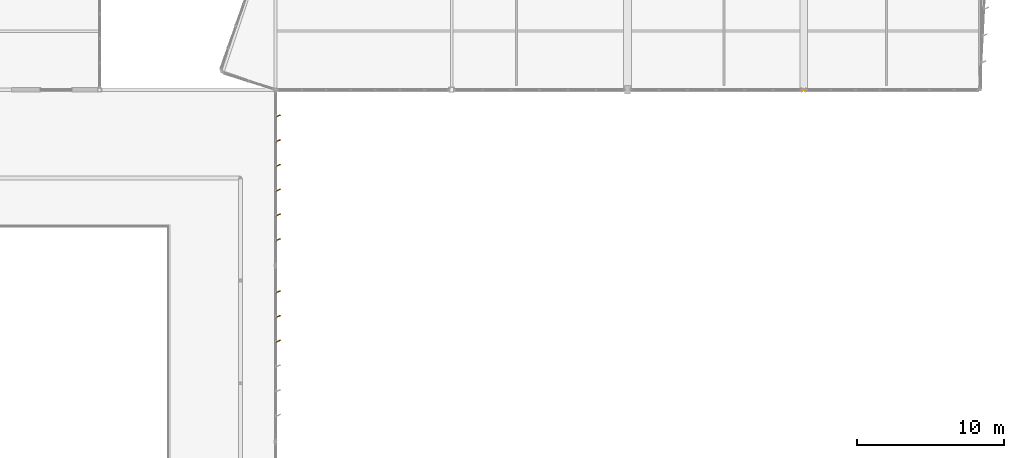
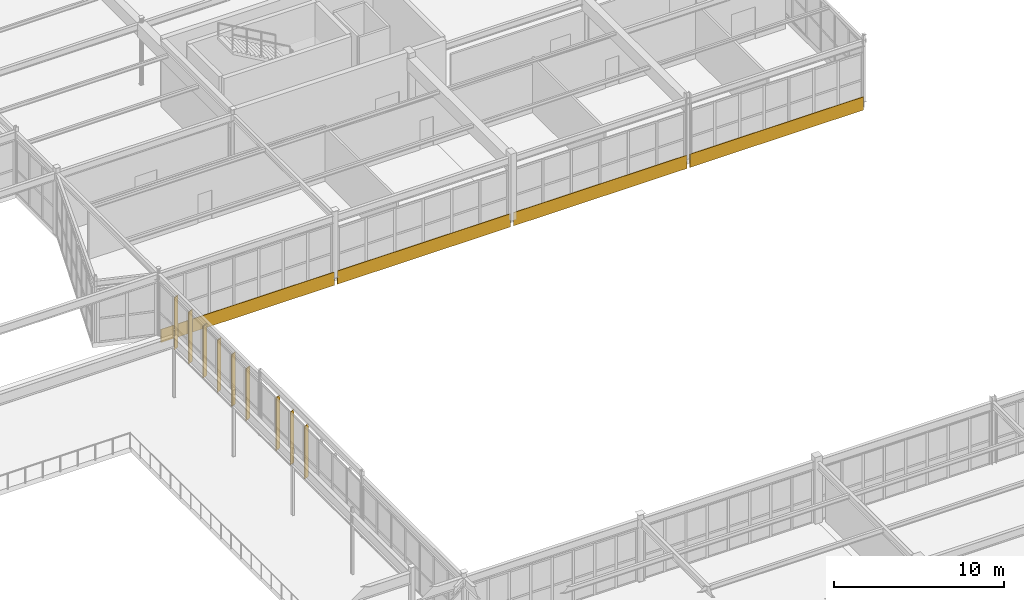
# One storey, part 182 of 186: 9 shading devices, 4 coverings.
"""IFC4 building model written with IfcOpenShell, lengths in metres."""

from ifc_helpers import new_model, si_unit, direction, frame, origin, origin_2d, place, context, subcontext, project, spatial, rectangle, extrude, material, layer, layer_set, type_object, element, save


model = new_model("IFC4")

# Units and contexts
model_context = context("Model", 3, precision=1e-05, world=origin(), true_north=direction((0.0, 1.0)))
body_context = subcontext(model_context, "Body", "Model", "MODEL_VIEW")
ifc_project = project(units=[si_unit("LENGTHUNIT", "METRE"), si_unit("AREAUNIT", "SQUARE_METRE"), si_unit("VOLUMEUNIT", "CUBIC_METRE"), si_unit("PLANEANGLEUNIT", "RADIAN"), si_unit("MASSUNIT", "GRAM", prefix="KILO")], contexts=[model_context])

# Site, building, storey
site_placement = place(None, origin())
site = spatial("IfcSite", under=ifc_project, at=site_placement, CompositionType="ELEMENT")
building_placement = place(site_placement, origin())
building = spatial("IfcBuilding", under=site, at=building_placement, Name="Tarnwether General Hospital", CompositionType="ELEMENT")
storey_placement = place(building_placement, frame((0.0, 0.0, 9.60009765625)))
storey = spatial("IfcBuildingStorey", under=building, at=storey_placement, Name="L02", CompositionType="ELEMENT", Elevation=9.60009765625)

# Coverings
ifc_material_1 = material(Name="Folded zinc-titanium cladding")
ifc_layer_1 = layer(ifc_material_1, 0.0400390625)
ifc_layer_set_1 = layer_set([ifc_layer_1], Name="Folded zinc-titanium cladding")
covering_type = type_object("IfcCoveringType", Name="CV-CLD-ZNC", PredefinedType="CLADDING", material=ifc_layer_set_1)
for number, where, z_axis, x_axis, name in (
    (1, (150.0, 81.510009765625, -0.55517578125), (0.0, 0.0, 1.0), (1.0, 0.0, 0.0), "Deconstructivist Faceted Zinc Spandrel Blade 031"),
    (2, (162.0, 81.510009765625, -0.55517578125), (0.0, 0.0, 1.0), (1.0, 0.0, 0.0), "Deconstructivist Faceted Zinc Spandrel Blade 032"),
    (3, (174.0, 81.510009765625, -0.55517578125), (0.0, 0.0, 1.0), (1.0, 0.0, 0.0), "Deconstructivist Faceted Zinc Spandrel Blade 033"),
    (4, (186.0, 81.510009765625, -0.55517578125), (0.0, 0.0, 1.0), (1.0, 0.0, 0.0), "Deconstructivist Faceted Zinc Spandrel Blade 034"),
):
    element("IfcCovering", number, at=place(storey_placement, frame(where, z_axis=z_axis, x_axis=x_axis)), inside=storey, type_object=covering_type, Name=name, PredefinedType="CLADDING", context=body_context, shape_type="SweptSolid", body=[
        extrude(rectangle(XDim=11.800048828125, YDim=0.0400390625, at=origin_2d()), origin(), (0.0, 0.0, 1.0), 0.949951171875),
    ])

# Shading devices
ifc_material_2 = material(Name="Champagne-bronze anodised aluminium", Category="aluminium")
ifc_layer_2 = layer(ifc_material_2, 0.06005859375)
ifc_layer_set_2 = layer_set([ifc_layer_2], Name="Champagne-bronze anodised aluminium")
shading_device_type = type_object("IfcShadingDeviceType", Name="SH-FIN-BRZ", PredefinedType="USERDEFINED", material=ifc_layer_set_2)
for number, where, z_axis, x_axis, name in (
    (5, (144.159912109375, 79.80908203125, 0.0498046875), (0.0, 0.0, 1.0), (0.422618261741, -0.906307787037, 0.0), "Champagne-Bronze Brise-Soleil Fin 0414"),
    (6, (144.159912109375, 78.1220703125, 0.0498046875), (0.0, 0.0, 1.0), (0.422618261741, -0.906307787037, 0.0), "Champagne-Bronze Brise-Soleil Fin 0415"),
    (7, (144.159912109375, 76.43505859375, 0.0498046875), (0.0, 0.0, 1.0), (0.422618261741, -0.906307787037, 0.0), "Champagne-Bronze Brise-Soleil Fin 0416"),
    (8, (144.159912109375, 74.7490234375, 0.0498046875), (0.0, 0.0, 1.0), (0.422618261741, -0.906307787037, 0.0), "Champagne-Bronze Brise-Soleil Fin 0417"),
    (9, (144.159912109375, 73.06201171875, 0.0498046875), (0.0, 0.0, 1.0), (0.422618261741, -0.906307787037, 0.0), "Champagne-Bronze Brise-Soleil Fin 0418"),
    (10, (144.159912109375, 71.3759765625, 0.0498046875), (0.0, 0.0, 1.0), (0.422618261741, -0.906307787037, 0.0), "Champagne-Bronze Brise-Soleil Fin 0419"),
):
    element("IfcShadingDevice", number, at=place(storey_placement, frame(where, z_axis=z_axis, x_axis=x_axis)), inside=storey, type_object=shading_device_type, Name=name, ObjectType="SOLAR FIN", PredefinedType="USERDEFINED", context=body_context, shape_type="SweptSolid", body=[
        extrude(rectangle(XDim=0.06005859375, YDim=0.360107421875, at=origin_2d()), origin(), (0.0, 0.0, 1.0), 3.72802734375),
    ])
for number, where, z_axis, x_axis, name in (
    (11, (144.159912109375, 67.824951171875, 0.0498046875), (0.0, 0.0, 1.0), (0.422618261741, -0.906307787037, 0.0), "Champagne-Bronze Brise-Soleil Fin 0420"),
    (12, (144.159912109375, 66.138916015625, 0.0498046875), (0.0, 0.0, 1.0), (0.422618261741, -0.906307787037, 0.0), "Champagne-Bronze Brise-Soleil Fin 0421"),
    (13, (144.159912109375, 64.452880859375, 0.0498046875), (0.0, 0.0, 1.0), (0.422618261741, -0.906307787037, 0.0), "Champagne-Bronze Brise-Soleil Fin 0422"),
):
    element("IfcShadingDevice", number, at=place(storey_placement, frame(where, z_axis=z_axis, x_axis=x_axis)), inside=storey, type_object=shading_device_type, Name=name, ObjectType="SOLAR FIN", PredefinedType="USERDEFINED", context=body_context, shape_type="SweptSolid", body=[
        extrude(rectangle(XDim=0.06005859375, YDim=0.360107421875, at=origin_2d()), origin(), (0.0, 0.0, 1.0), 3.797119140625),
    ])

save(model, "model.ifc")
